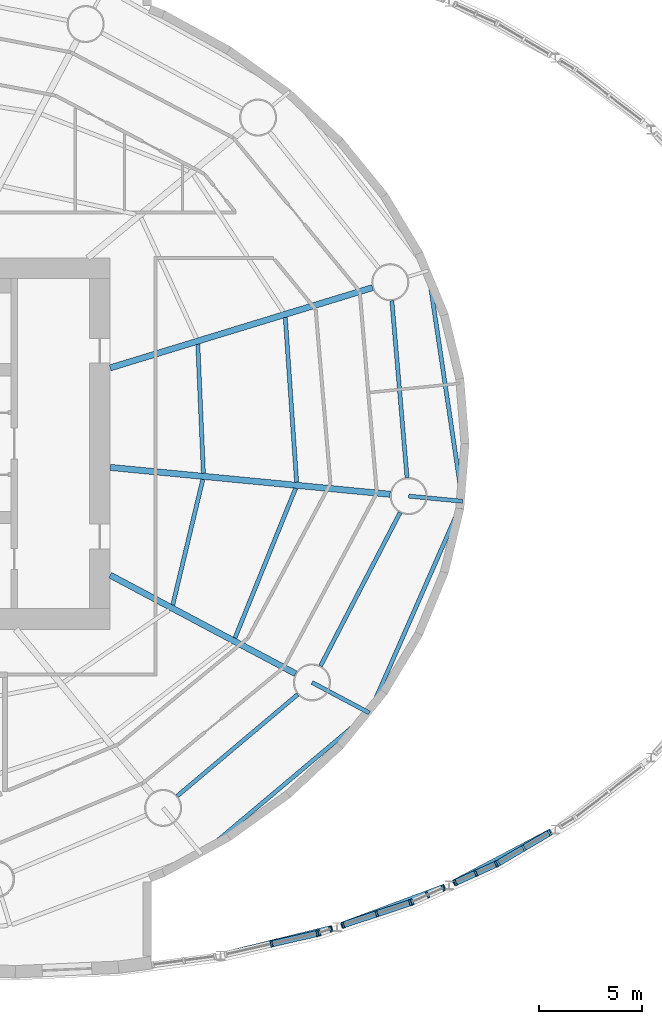
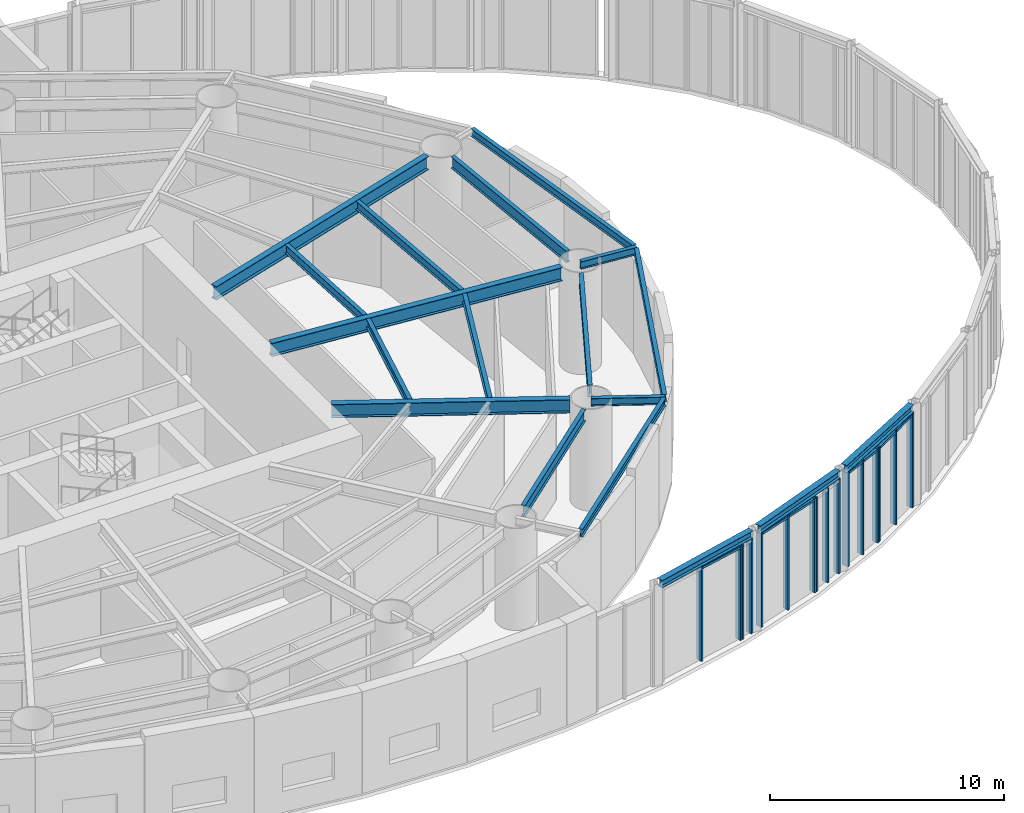
# One storey, part 5 of 19: 23 members, 18 beams, 6 elements without a shape of their own.
"""IFC4 building model written with IfcOpenShell, lengths in metres."""

from ifc_helpers import new_model, si_unit, direction, frame, origin, origin_2d, place, context, subcontext, project, spatial, rectangle, i_section, extrude, material, material_profile, profile_set, type_object, element, aggregate, save


model = new_model("IFC4")

# Units and contexts
model_context = context("Model", 3, precision=1e-05, world=origin(), true_north=direction((0.0, 1.0)))
body_context = subcontext(model_context, "Body", "Model", "MODEL_VIEW")
ifc_project = project(units=[si_unit("LENGTHUNIT", "METRE"), si_unit("AREAUNIT", "SQUARE_METRE"), si_unit("VOLUMEUNIT", "CUBIC_METRE"), si_unit("PLANEANGLEUNIT", "RADIAN"), si_unit("MASSUNIT", "GRAM", prefix="KILO")], contexts=[model_context])

# Site, building, storey
site_placement = place(None, origin())
site = spatial("IfcSite", under=ifc_project, at=site_placement, CompositionType="ELEMENT")
building_placement = place(site_placement, origin())
building = spatial("IfcBuilding", under=site, at=building_placement, Name="Vermilion Reach Broadcast Tower", CompositionType="ELEMENT")
storey_placement = place(building_placement, frame((0.0, 0.0, 26.0)))
storey = spatial("IfcBuildingStorey", under=building, at=storey_placement, Name="L03", CompositionType="ELEMENT", Elevation=26.0)

# Curtain wall, members
ifc_material_1 = material(Name="Low-e laminated clear glass in aluminium frame", Category="aluminium")
curtain_wall_type = type_object("IfcCurtainWallType", Name="Atrium outer wall curtain wall", PredefinedType="NOTDEFINED", material=ifc_material_1)
placement = place(storey_placement, origin())
curtain_wall_1 = element("IfcCurtainWall", 1, at=placement, inside=storey, type_object=curtain_wall_type, Name="Atrium wall L03 02", PredefinedType="NOTDEFINED")
ifc_material_2 = material(Name="Anodised aluminium", Category="aluminium")
ifc_material_profile_1 = material_profile(ifc_material_2, rectangle(XDim=0.300048828125, YDim=0.10009765625, at=origin_2d()), Name="Atrium outer wall mullion 100 x 300")
ifc_profile_set_1 = profile_set([ifc_material_profile_1], Name="Anodised aluminium")
member_type_1 = type_object("IfcMemberType", Name="Atrium outer wall mullion 100 x 300", PredefinedType="MULLION", material=ifc_profile_set_1)
member_1_placement = place(storey_placement, frame((13.818359375, -24.251708984375, 0.0), z_axis=(0.0, 0.0, 1.0), x_axis=(-0.222891523278, 0.974843253478, 0.0)))
member_1 = element("IfcMember", 2, at=member_1_placement, type_object=member_type_1, Name="Atrium wall mullion L03 02.2", PredefinedType="MULLION", context=body_context, shape_type="SweptSolid", body=[
    extrude(rectangle(XDim=0.300048828125, YDim=0.10009765625, at=origin_2d()), origin(), (0.0, 0.0, 1.0), 4.909912109375),
])
member_2_placement = place(storey_placement, frame((16.042236328125, -23.7431640625, 0.0), z_axis=(0.0, 0.0, 1.0), x_axis=(-0.222891523278, 0.974843253478, 0.0)))
member_2 = element("IfcMember", 3, at=member_2_placement, type_object=member_type_1, Name="Atrium wall mullion L03 02.3", PredefinedType="MULLION", context=body_context, shape_type="SweptSolid", body=[
    extrude(rectangle(XDim=0.300048828125, YDim=0.10009765625, at=origin_2d()), origin(), (0.0, 0.0, 1.0), 4.909912109375),
])

curtain_wall_2 = element("IfcCurtainWall", 4, at=placement, inside=storey, type_object=curtain_wall_type, Name="Atrium wall L03 03-1", PredefinedType="NOTDEFINED")
member_3_placement = place(storey_placement, frame((16.138427734375, -23.71630859375, 0.0), z_axis=(0.0, 0.0, 1.0), x_axis=(-0.315228098746, 0.949015935462, 0.0)))
member_3 = element("IfcMember", 5, at=member_3_placement, type_object=member_type_1, Name="Atrium wall mullion L03 03-1.1", PredefinedType="MULLION", context=body_context, shape_type="SweptSolid", body=[
    extrude(rectangle(XDim=0.300048828125, YDim=0.10009765625, at=origin_2d()), origin(), (0.0, 0.0, 1.0), 4.909912109375),
])
member_4_placement = place(storey_placement, frame((16.67724609375, -23.537353515625, 0.0), z_axis=(0.0, 0.0, 1.0), x_axis=(-0.315228098746, 0.949015935462, 0.0)))
member_4 = element("IfcMember", 6, at=member_4_placement, type_object=member_type_1, Name="Atrium wall mullion L03 03-1.2", PredefinedType="MULLION", context=body_context, shape_type="SweptSolid", body=[
    extrude(rectangle(XDim=0.300048828125, YDim=0.10009765625, at=origin_2d()), origin(), (0.0, 0.0, 1.0), 4.909912109375),
])
aggregate(curtain_wall_2, [member_3, member_4])

curtain_wall_3 = element("IfcCurtainWall", 7, at=placement, inside=storey, type_object=curtain_wall_type, Name="Atrium wall L03 03-2", PredefinedType="NOTDEFINED")
member_5_placement = place(storey_placement, frame((17.2919921875, -23.3330078125, 0.0), z_axis=(0.0, 0.0, 1.0), x_axis=(-0.315228098746, 0.949015935462, 0.0)))
member_5 = element("IfcMember", 8, at=member_5_placement, type_object=member_type_1, Name="Atrium wall mullion L03 03-2.1", PredefinedType="MULLION", context=body_context, shape_type="SweptSolid", body=[
    extrude(rectangle(XDim=0.300048828125, YDim=0.10009765625, at=origin_2d()), origin(), (0.0, 0.0, 1.0), 4.909912109375),
])
member_6_placement = place(storey_placement, frame((18.91796875, -22.79296875, 0.0), z_axis=(0.0, 0.0, 1.0), x_axis=(-0.315228098746, 0.949015935462, 0.0)))
member_6 = element("IfcMember", 9, at=member_6_placement, type_object=member_type_1, Name="Atrium wall mullion L03 03-2.2", PredefinedType="MULLION", context=body_context, shape_type="SweptSolid", body=[
    extrude(rectangle(XDim=0.300048828125, YDim=0.10009765625, at=origin_2d()), origin(), (0.0, 0.0, 1.0), 4.909912109375),
])
member_7_placement = place(storey_placement, frame((20.5439453125, -22.2529296875, 0.0), z_axis=(0.0, 0.0, 1.0), x_axis=(-0.315228098746, 0.949015935462, 0.0)))
member_7 = element("IfcMember", 10, at=member_7_placement, type_object=member_type_1, Name="Atrium wall mullion L03 03-2.3", PredefinedType="MULLION", context=body_context, shape_type="SweptSolid", body=[
    extrude(rectangle(XDim=0.300048828125, YDim=0.10009765625, at=origin_2d()), origin(), (0.0, 0.0, 1.0), 4.909912109375),
])

curtain_wall_4 = element("IfcCurtainWall", 11, at=placement, inside=storey, type_object=curtain_wall_type, Name="Atrium wall L03 04-1", PredefinedType="NOTDEFINED")
member_8_placement = place(storey_placement, frame((20.636962890625, -22.216552734375, 0.0), z_axis=(0.0, 0.0, 1.0), x_axis=(-0.410407876277, 0.911902064418, 0.0)))
member_8 = element("IfcMember", 12, at=member_8_placement, type_object=member_type_1, Name="Atrium wall mullion L03 04-1.1", PredefinedType="MULLION", context=body_context, shape_type="SweptSolid", body=[
    extrude(rectangle(XDim=0.300048828125, YDim=0.10009765625, at=origin_2d()), origin(), (0.0, 0.0, 1.0), 4.909912109375),
])
member_9_placement = place(storey_placement, frame((21.386474609375, -21.87939453125, 0.0), z_axis=(0.0, 0.0, 1.0), x_axis=(-0.410407876277, 0.911902064418, 0.0)))
member_9 = element("IfcMember", 13, at=member_9_placement, type_object=member_type_1, Name="Atrium wall mullion L03 04-1.2", PredefinedType="MULLION", context=body_context, shape_type="SweptSolid", body=[
    extrude(rectangle(XDim=0.300048828125, YDim=0.10009765625, at=origin_2d()), origin(), (0.0, 0.0, 1.0), 4.909912109375),
])
member_10_placement = place(storey_placement, frame((22.1357421875, -21.5419921875, 0.0), z_axis=(0.0, 0.0, 1.0), x_axis=(-0.410407876277, 0.911902064418, 0.0)))
member_10 = element("IfcMember", 14, at=member_10_placement, type_object=member_type_1, Name="Atrium wall mullion L03 04-1.3", PredefinedType="MULLION", context=body_context, shape_type="SweptSolid", body=[
    extrude(rectangle(XDim=0.300048828125, YDim=0.10009765625, at=origin_2d()), origin(), (0.0, 0.0, 1.0), 4.909912109375),
])
aggregate(curtain_wall_4, [member_8, member_9, member_10])

curtain_wall_5 = element("IfcCurtainWall", 15, at=placement, inside=storey, type_object=curtain_wall_type, Name="Atrium wall L03 04-2", PredefinedType="NOTDEFINED")
member_11_placement = place(storey_placement, frame((22.726806640625, -21.276123046875, 0.0), z_axis=(0.0, 0.0, 1.0), x_axis=(-0.410407876277, 0.911902064418, 0.0)))
member_11 = element("IfcMember", 16, at=member_11_placement, type_object=member_type_1, Name="Atrium wall mullion L03 04-2.1", PredefinedType="MULLION", context=body_context, shape_type="SweptSolid", body=[
    extrude(rectangle(XDim=0.300048828125, YDim=0.10009765625, at=origin_2d()), origin(), (0.0, 0.0, 1.0), 4.909912109375),
])
member_12_placement = place(storey_placement, frame((23.720947265625, -20.82861328125, 0.0), z_axis=(0.0, 0.0, 1.0), x_axis=(-0.410407876277, 0.911902064418, 0.0)))
member_12 = element("IfcMember", 17, at=member_12_placement, type_object=member_type_1, Name="Atrium wall mullion L03 04-2.2", PredefinedType="MULLION", context=body_context, shape_type="SweptSolid", body=[
    extrude(rectangle(XDim=0.300048828125, YDim=0.10009765625, at=origin_2d()), origin(), (0.0, 0.0, 1.0), 4.909912109375),
])
member_13_placement = place(storey_placement, frame((24.715087890625, -20.38134765625, 0.0), z_axis=(0.0, 0.0, 1.0), x_axis=(-0.410407876277, 0.911902064418, 0.0)))
member_13 = element("IfcMember", 18, at=member_13_placement, type_object=member_type_1, Name="Atrium wall mullion L03 04-2.3", PredefinedType="MULLION", context=body_context, shape_type="SweptSolid", body=[
    extrude(rectangle(XDim=0.300048828125, YDim=0.10009765625, at=origin_2d()), origin(), (0.0, 0.0, 1.0), 4.909912109375),
])

curtain_wall_6 = element("IfcCurtainWall", 19, at=placement, inside=storey, type_object=curtain_wall_type, Name="Atrium wall L03 05-1", PredefinedType="NOTDEFINED")
member_14_placement = place(storey_placement, frame((24.8037109375, -20.33544921875, 0.0), z_axis=(0.0, 0.0, 1.0), x_axis=(-0.508589622127, 0.861009057017, 0.0)))
member_14 = element("IfcMember", 20, at=member_14_placement, type_object=member_type_1, Name="Atrium wall mullion L03 05-1.1", PredefinedType="MULLION", context=body_context, shape_type="SweptSolid", body=[
    extrude(rectangle(XDim=0.300048828125, YDim=0.10009765625, at=origin_2d()), origin(), (0.0, 0.0, 1.0), 4.909912109375),
])
member_15_placement = place(storey_placement, frame((26.0478515625, -19.6005859375, 0.0), z_axis=(0.0, 0.0, 1.0), x_axis=(-0.508589622127, 0.861009057017, 0.0)))
member_15 = element("IfcMember", 21, at=member_15_placement, type_object=member_type_1, Name="Atrium wall mullion L03 05-1.2", PredefinedType="MULLION", context=body_context, shape_type="SweptSolid", body=[
    extrude(rectangle(XDim=0.300048828125, YDim=0.10009765625, at=origin_2d()), origin(), (0.0, 0.0, 1.0), 4.909912109375),
])
member_16_placement = place(storey_placement, frame((27.291748046875, -18.86572265625, 0.0), z_axis=(0.0, 0.0, 1.0), x_axis=(-0.508589622127, 0.861009057017, 0.0)))
member_16 = element("IfcMember", 22, at=member_16_placement, type_object=member_type_1, Name="Atrium wall mullion L03 05-1.3", PredefinedType="MULLION", context=body_context, shape_type="SweptSolid", body=[
    extrude(rectangle(XDim=0.300048828125, YDim=0.10009765625, at=origin_2d()), origin(), (0.0, 0.0, 1.0), 4.909912109375),
])

# Member
ifc_material_3 = material(Name="Anodised aluminium", Category="aluminium")
ifc_material_profile_2 = material_profile(ifc_material_3, rectangle(XDim=0.300048828125, YDim=0.1201171875, at=origin_2d()), Name="Atrium outer wall transom 300 x 120")
ifc_profile_set_2 = profile_set([ifc_material_profile_2], Name="Anodised aluminium")
member_type_2 = type_object("IfcMemberType", Name="Atrium outer wall transom 300 x 120", PredefinedType="USERDEFINED", material=ifc_profile_set_2)
member_17_placement = place(storey_placement, frame((13.8671875, -24.240478515625, 4.85009765625), z_axis=(0.97485503326, 0.222839996696, 0.0), x_axis=(-0.222839996696, 0.97485503326, 0.0)))
member_17 = element("IfcMember", 23, at=member_17_placement, type_object=member_type_2, Name="Atrium wall transom L03 02.2.2", ObjectType="TRANSOM", PredefinedType="USERDEFINED", context=body_context, shape_type="SweptSolid", body=[
    extrude(rectangle(XDim=0.300048828125, YDim=0.1201171875, at=origin_2d()), origin(), (0.0, 0.0, 1.0), 2.181396484375),
])

aggregate(curtain_wall_1, [member_1, member_2, member_17])

member_18_placement = place(storey_placement, frame((17.339599609375, -23.3173828125, 4.85009765625), z_axis=(0.949015707131, 0.315228786151, 0.0), x_axis=(-0.315228786151, 0.949015707131, 0.0)))
member_18 = element("IfcMember", 24, at=member_18_placement, type_object=member_type_2, Name="Atrium wall transom L03 03-2.1.2", ObjectType="TRANSOM", PredefinedType="USERDEFINED", context=body_context, shape_type="SweptSolid", body=[
    extrude(rectangle(XDim=0.300048828125, YDim=0.1201171875, at=origin_2d()), origin(), (0.0, 0.0, 1.0), 1.61328125),
])

member_19_placement = place(storey_placement, frame((18.965576171875, -22.777099609375, 4.85009765625), z_axis=(0.949015707131, 0.315228786151, 0.0), x_axis=(-0.315228786151, 0.949015707131, 0.0)))
member_19 = element("IfcMember", 25, at=member_19_placement, type_object=member_type_2, Name="Atrium wall transom L03 03-2.2.2", ObjectType="TRANSOM", PredefinedType="USERDEFINED", context=body_context, shape_type="SweptSolid", body=[
    extrude(rectangle(XDim=0.300048828125, YDim=0.1201171875, at=origin_2d()), origin(), (0.0, 0.0, 1.0), 1.61328125),
])

aggregate(curtain_wall_3, [member_5, member_6, member_7, member_18, member_19])

member_20_placement = place(storey_placement, frame((22.772216796875, -21.255615234375, 4.85009765625), z_axis=(0.911879986632, 0.410456928289, 0.0), x_axis=(-0.410456928289, 0.911879986632, 0.0)))
member_20 = element("IfcMember", 26, at=member_20_placement, type_object=member_type_2, Name="Atrium wall transom L03 04-2.1.2", ObjectType="TRANSOM", PredefinedType="USERDEFINED", context=body_context, shape_type="SweptSolid", body=[
    extrude(rectangle(XDim=0.300048828125, YDim=0.1201171875, at=origin_2d()), origin(), (0.0, 0.0, 1.0), 0.990234375),
])

member_21_placement = place(storey_placement, frame((23.766357421875, -20.80810546875, 4.85009765625), z_axis=(0.911972242519, 0.410251909044, 0.0), x_axis=(-0.410251909044, 0.911972242519, 0.0)))
member_21 = element("IfcMember", 27, at=member_21_placement, type_object=member_type_2, Name="Atrium wall transom L03 04-2.2.2", ObjectType="TRANSOM", PredefinedType="USERDEFINED", context=body_context, shape_type="SweptSolid", body=[
    extrude(rectangle(XDim=0.300048828125, YDim=0.1201171875, at=origin_2d()), origin(), (0.0, 0.0, 1.0), 0.990234375),
])

aggregate(curtain_wall_5, [member_11, member_12, member_13, member_20, member_21])

member_22_placement = place(storey_placement, frame((24.8466796875, -20.309814453125, 4.85009765625), z_axis=(0.861060223376, 0.508502990866, 0.0), x_axis=(-0.508502990866, 0.861060223376, 0.0)))
member_22 = element("IfcMember", 28, at=member_22_placement, type_object=member_type_2, Name="Atrium wall transom L03 05-1.1.2", ObjectType="TRANSOM", PredefinedType="USERDEFINED", context=body_context, shape_type="SweptSolid", body=[
    extrude(rectangle(XDim=0.300048828125, YDim=0.1201171875, at=origin_2d()), origin(), (0.0, 0.0, 1.0), 1.3447265625),
])

member_23_placement = place(storey_placement, frame((26.0908203125, -19.574951171875, 4.85009765625), z_axis=(0.861060223376, 0.508502990866, 0.0), x_axis=(-0.508502990866, 0.861060223376, 0.0)))
member_23 = element("IfcMember", 29, at=member_23_placement, type_object=member_type_2, Name="Atrium wall transom L03 05-1.2.2", ObjectType="TRANSOM", PredefinedType="USERDEFINED", context=body_context, shape_type="SweptSolid", body=[
    extrude(rectangle(XDim=0.300048828125, YDim=0.1201171875, at=origin_2d()), origin(), (0.0, 0.0, 1.0), 1.3447265625),
])

aggregate(curtain_wall_6, [member_14, member_15, member_16, member_22, member_23])

# Beams
ifc_material_4 = material(Name="Steel S355J2", Category="steel")
ifc_material_profile_3 = material_profile(ifc_material_4, i_section(OverallWidth=0.199951171875, OverallDepth=0.39990234375, WebThickness=0.008056640625, FlangeThickness=0.012939453125, at=origin_2d()), Name="S355J2 HN 400x200x8x13")
ifc_profile_set_3 = profile_set([ifc_material_profile_3], Name="Steel S355J2")
beam_type_1 = type_object("IfcBeamType", Name="EB1 HN 400x200x8x13", PredefinedType="BEAM", material=ifc_profile_set_3)
beam_1_placement = place(storey_placement, frame((10.490478515625, -19.840087890625, 5.10009765625), z_axis=(0.765453208317, 0.643491558513, 0.0), x_axis=(-0.643491558513, 0.765453208317, 0.0)))
element("IfcBeam", 30, at=beam_1_placement, inside=storey, type_object=beam_type_1, Name="Edge beam EB1-14", PredefinedType="BEAM", context=body_context, shape_type="SweptSolid", body=[
    extrude(i_section(OverallWidth=0.199951171875, OverallDepth=0.39990234375, WebThickness=0.008056640625, FlangeThickness=0.012939453125, at=origin_2d()), origin(), (0.0, 0.0, 1.0), 10.437255859375),
])
beam_2_placement = place(storey_placement, frame((18.6025390625, -12.962646484375, 5.10009765625), z_axis=(0.402751254677, 0.915309470538, 0.0), x_axis=(-0.915309470538, 0.402751254677, 0.0)))
element("IfcBeam", 31, at=beam_2_placement, inside=storey, type_object=beam_type_1, Name="Edge beam EB1-15", PredefinedType="BEAM", context=body_context, shape_type="SweptSolid", body=[
    extrude(i_section(OverallWidth=0.199951171875, OverallDepth=0.39990234375, WebThickness=0.008056640625, FlangeThickness=0.012939453125, at=origin_2d()), origin(), (0.0, 0.0, 1.0), 11.00341796875),
])
beam_3_placement = place(storey_placement, frame((23.061279296875, -2.692626953125, 5.10009765625), z_axis=(-0.147029010253, 0.98913218032, 0.0), x_axis=(-0.98913218032, -0.147029010253, 0.0)))
element("IfcBeam", 32, at=beam_3_placement, inside=storey, type_object=beam_type_1, Name="Edge beam EB1-16", PredefinedType="BEAM", context=body_context, shape_type="SweptSolid", body=[
    extrude(i_section(OverallWidth=0.199951171875, OverallDepth=0.39990234375, WebThickness=0.008056640625, FlangeThickness=0.012939453125, at=origin_2d()), origin(), (0.0, 0.0, 1.0), 11.125244140625),
])
ifc_material_5 = material(Name="Steel S355J2", Category="steel")
ifc_material_profile_4 = material_profile(ifc_material_5, i_section(OverallWidth=0.300048828125, OverallDepth=0.699951171875, WebThickness=0.012939453125, FlangeThickness=0.02392578125, at=origin_2d()), Name="S355J2 HN 700x300x13x24")
ifc_profile_set_4 = profile_set([ifc_material_profile_4], Name="Steel S355J2")
beam_type_2 = type_object("IfcBeamType", Name="G1 HN 700x300x13x24", PredefinedType="BEAM", material=ifc_profile_set_4)
beam_4_placement = place(storey_placement, frame((6.0, 3.671142578125, 4.949951171875), z_axis=(0.956255735186, 0.292531996409, 0.0), x_axis=(-0.292531996409, 0.956255735186, 0.0)))
element("IfcBeam", 33, at=beam_4_placement, inside=storey, type_object=beam_type_2, Name="Girder G1-01", PredefinedType="BEAM", context=body_context, shape_type="SweptSolid", body=[
    extrude(i_section(OverallWidth=0.300048828125, OverallDepth=0.699951171875, WebThickness=0.012939453125, FlangeThickness=0.02392578125, at=origin_2d()), origin(), (0.0, 0.0, 1.0), 13.29638671875),
])
beam_5_placement = place(storey_placement, frame((6.0, -6.3779296875, 4.949951171875), z_axis=(0.883032139419, -0.469312519279, 0.0), x_axis=(0.469312519279, 0.883032139419, 0.0)))
element("IfcBeam", 34, at=beam_5_placement, inside=storey, type_object=beam_type_2, Name="Girder G1-15", PredefinedType="BEAM", context=body_context, shape_type="SweptSolid", body=[
    extrude(i_section(OverallWidth=0.300048828125, OverallDepth=0.699951171875, WebThickness=0.012939453125, FlangeThickness=0.02392578125, at=origin_2d()), origin(), (0.0, 0.0, 1.0), 10.17529296875),
])
beam_6_placement = place(storey_placement, frame((6.0, -1.1533203125, 4.949951171875), z_axis=(0.995412178872, -0.095679643363, 0.0), x_axis=(0.095679643363, 0.995412178872, 0.0)))
element("IfcBeam", 35, at=beam_6_placement, inside=storey, type_object=beam_type_2, Name="Girder G1-16", PredefinedType="BEAM", context=body_context, shape_type="SweptSolid", body=[
    extrude(i_section(OverallWidth=0.300048828125, OverallDepth=0.699951171875, WebThickness=0.012939453125, FlangeThickness=0.02392578125, at=origin_2d()), origin(), (0.0, 0.0, 1.0), 13.630859375),
])
ifc_material_6 = material(Name="Steel S355J2", Category="steel")
ifc_material_profile_5 = material_profile(ifc_material_6, i_section(OverallWidth=0.199951171875, OverallDepth=0.39990234375, WebThickness=0.008056640625, FlangeThickness=0.012939453125, at=origin_2d()), Name="S355J2 HN 400x200x8x13")
ifc_profile_set_5 = profile_set([ifc_material_profile_5], Name="Steel S355J2")
beam_type_3 = type_object("IfcBeamType", Name="GC1 HN 400x200x8x13", PredefinedType="BEAM", material=ifc_profile_set_5)
beam_7_placement = place(storey_placement, frame((15.77978515625, -11.57568359375, 5.10009765625), z_axis=(0.8830404704, -0.469296843837, 0.0), x_axis=(0.469296843837, 0.8830404704, 0.0)))
element("IfcBeam", 36, at=beam_7_placement, inside=storey, type_object=beam_type_3, Name="Cantilever girder GC1-15", PredefinedType="BEAM", context=body_context, shape_type="SweptSolid", body=[
    extrude(i_section(OverallWidth=0.199951171875, OverallDepth=0.39990234375, WebThickness=0.008056640625, FlangeThickness=0.012939453125, at=origin_2d()), origin(), (0.0, 0.0, 1.0), 3.151123046875),
])
beam_8_placement = place(storey_placement, frame((20.464111328125, -2.54345703125, 5.10009765625), z_axis=(0.995407665441, -0.095726587639, 0.0), x_axis=(0.095726587639, 0.995407665441, 0.0)))
element("IfcBeam", 37, at=beam_8_placement, inside=storey, type_object=beam_type_3, Name="Cantilever girder GC1-16", PredefinedType="BEAM", context=body_context, shape_type="SweptSolid", body=[
    extrude(i_section(OverallWidth=0.199951171875, OverallDepth=0.39990234375, WebThickness=0.008056640625, FlangeThickness=0.012939453125, at=origin_2d()), origin(), (0.0, 0.0, 1.0), 2.624267578125),
])
ifc_material_7 = material(Name="Steel S355J2", Category="steel")
ifc_material_profile_6 = material_profile(ifc_material_7, i_section(OverallWidth=0.199951171875, OverallDepth=0.60009765625, WebThickness=0.010986328125, FlangeThickness=0.01708984375, at=origin_2d()), Name="S355J2 HN 600x200x11x17")
ifc_profile_set_6 = profile_set([ifc_material_profile_6], Name="Steel S355J2")
beam_type_4 = type_object("IfcBeamType", Name="RB1 HN 600x200x11x17", PredefinedType="BEAM", material=ifc_profile_set_6)
beam_9_placement = place(storey_placement, frame((9.251220703125, -17.080322265625, 5.0), z_axis=(0.764512441084, 0.6446089725, 0.0), x_axis=(-0.6446089725, 0.764512441084, 0.0)))
element("IfcBeam", 38, at=beam_9_placement, inside=storey, type_object=beam_type_4, Name="Ring beam RB1-14", PredefinedType="BEAM", context=body_context, shape_type="SweptSolid", body=[
    extrude(i_section(OverallWidth=0.199951171875, OverallDepth=0.60009765625, WebThickness=0.010986328125, FlangeThickness=0.01708984375, at=origin_2d()), origin(), (0.0, 0.0, 1.0), 7.6396484375),
])
beam_10_placement = place(storey_placement, frame((16.194091796875, -10.776611328125, 5.0), z_axis=(0.460411617218, 0.887705549566, 0.0), x_axis=(-0.887705549566, 0.460411617218, 0.0)))
element("IfcBeam", 39, at=beam_10_placement, inside=storey, type_object=beam_type_4, Name="Ring beam RB1-15", PredefinedType="BEAM", context=body_context, shape_type="SweptSolid", body=[
    extrude(i_section(OverallWidth=0.199951171875, OverallDepth=0.60009765625, WebThickness=0.010986328125, FlangeThickness=0.01708984375, at=origin_2d()), origin(), (0.0, 0.0, 1.0), 8.37451171875),
])
beam_11_placement = place(storey_placement, frame((20.38720703125, -1.646728515625, 5.0), z_axis=(-0.085395508608, 0.996347131832, 0.0), x_axis=(-0.996347131832, -0.085395508608, 0.0)))
element("IfcBeam", 40, at=beam_11_placement, inside=storey, type_object=beam_type_4, Name="Ring beam RB1-16", PredefinedType="BEAM", context=body_context, shape_type="SweptSolid", body=[
    extrude(i_section(OverallWidth=0.199951171875, OverallDepth=0.60009765625, WebThickness=0.010986328125, FlangeThickness=0.01708984375, at=origin_2d()), origin(), (0.0, 0.0, 1.0), 8.60546875),
])
ifc_material_8 = material(Name="Steel S355J2", Category="steel")
ifc_material_profile_7 = material_profile(ifc_material_8, i_section(OverallWidth=0.300048828125, OverallDepth=0.389892578125, WebThickness=0.010009765625, FlangeThickness=0.01611328125, at=origin_2d()), Name="S355J2 HM 390x300x10x16")
ifc_profile_set_7 = profile_set([ifc_material_profile_7], Name="Steel S355J2")
beam_type_5 = type_object("IfcBeamType", Name="RM1 HM 390x300x10x16", PredefinedType="BEAM", material=ifc_profile_set_7)
beam_12_placement = place(storey_placement, frame((11.55078125, -24.7666015625, 5.10498046875), z_axis=(0.97127010403, 0.237979799598, 0.0), x_axis=(-0.237979799598, 0.97127010403, 0.0)))
element("IfcBeam", 41, at=beam_12_placement, inside=storey, type_object=beam_type_5, Name="Rim beam AP01-AP02", PredefinedType="BEAM", context=body_context, shape_type="SweptSolid", body=[
    extrude(i_section(OverallWidth=0.300048828125, OverallDepth=0.389892578125, WebThickness=0.010009765625, FlangeThickness=0.01611328125, at=origin_2d()), origin(), (0.0, 0.0, 1.0), 5.37451171875),
])
beam_13_placement = place(storey_placement, frame((17.190673828125, -23.3583984375, 5.10498046875), z_axis=(0.937250522131, 0.348656648818, 0.0), x_axis=(-0.348656648818, 0.937250522131, 0.0)))
element("IfcBeam", 42, at=beam_13_placement, inside=storey, type_object=beam_type_5, Name="Rim beam AP02-AP03", PredefinedType="BEAM", context=body_context, shape_type="SweptSolid", body=[
    extrude(i_section(OverallWidth=0.300048828125, OverallDepth=0.389892578125, WebThickness=0.010009765625, FlangeThickness=0.01611328125, at=origin_2d()), origin(), (0.0, 0.0, 1.0), 5.37158203125),
])
beam_14_placement = place(storey_placement, frame((22.625732421875, -21.306396484375, 5.10498046875), z_axis=(0.884684356477, 0.46619050763, 0.0), x_axis=(-0.46619050763, 0.884684356477, 0.0)))
element("IfcBeam", 43, at=beam_14_placement, inside=storey, type_object=beam_type_5, Name="Rim beam AP03-AP04", PredefinedType="BEAM", context=body_context, shape_type="SweptSolid", body=[
    extrude(i_section(OverallWidth=0.300048828125, OverallDepth=0.389892578125, WebThickness=0.010009765625, FlangeThickness=0.01611328125, at=origin_2d()), origin(), (0.0, 0.0, 1.0), 5.369384765625),
])
ifc_material_9 = material(Name="Steel S355J2", Category="steel")
ifc_material_profile_8 = material_profile(ifc_material_9, i_section(OverallWidth=0.199951171875, OverallDepth=0.449951171875, WebThickness=0.009033203125, FlangeThickness=0.013916015625, at=origin_2d()), Name="S355J2 HN 450x200x9x14")
ifc_profile_set_8 = profile_set([ifc_material_profile_8], Name="Steel S355J2")
beam_type_6 = type_object("IfcBeamType", Name="SB1 HN 450x200x9x14", PredefinedType="BEAM", material=ifc_profile_set_8)
beam_15_placement = place(storey_placement, frame((9.031005859375, -7.81884765625, 5.074951171875), z_axis=(0.232844467589, 0.972513986487, 0.0), x_axis=(-0.972513986487, 0.232844467589, 0.0)))
element("IfcBeam", 44, at=beam_15_placement, inside=storey, type_object=beam_type_6, Name="Secondary beam SB1-15-1", PredefinedType="BEAM", context=body_context, shape_type="SweptSolid", body=[
    extrude(i_section(OverallWidth=0.199951171875, OverallDepth=0.449951171875, WebThickness=0.009033203125, FlangeThickness=0.013916015625, at=origin_2d()), origin(), (0.0, 0.0, 1.0), 6.25537109375),
])
beam_16_placement = place(storey_placement, frame((12.046630859375, -9.421630859375, 5.074951171875), z_axis=(0.375640669938, 0.926765389453, 0.0), x_axis=(-0.926765389453, 0.375640669938, 0.0)))
element("IfcBeam", 45, at=beam_16_placement, inside=storey, type_object=beam_type_6, Name="Secondary beam SB1-15-2", PredefinedType="BEAM", context=body_context, shape_type="SweptSolid", body=[
    extrude(i_section(OverallWidth=0.199951171875, OverallDepth=0.449951171875, WebThickness=0.009033203125, FlangeThickness=0.013916015625, at=origin_2d()), origin(), (0.0, 0.0, 1.0), 7.8271484375),
])
beam_17_placement = place(storey_placement, frame((10.51611328125, -1.436767578125, 5.074951171875), z_axis=(-0.043361007512, 0.999059469215, 0.0), x_axis=(-0.999059469215, -0.043361007512, 0.0)))
element("IfcBeam", 46, at=beam_17_placement, inside=storey, type_object=beam_type_6, Name="Secondary beam SB1-16-1", PredefinedType="BEAM", context=body_context, shape_type="SweptSolid", body=[
    extrude(i_section(OverallWidth=0.199951171875, OverallDepth=0.449951171875, WebThickness=0.009033203125, FlangeThickness=0.013916015625, at=origin_2d()), origin(), (0.0, 0.0, 1.0), 6.25537109375),
])
beam_18_placement = place(storey_placement, frame((15.03515625, -1.87109375, 5.074951171875), z_axis=(-0.068507801475, 0.997650580683, 0.0), x_axis=(-0.997650580683, -0.068507801475, 0.0)))
element("IfcBeam", 47, at=beam_18_placement, inside=storey, type_object=beam_type_6, Name="Secondary beam SB1-16-2", PredefinedType="BEAM", context=body_context, shape_type="SweptSolid", body=[
    extrude(i_section(OverallWidth=0.199951171875, OverallDepth=0.449951171875, WebThickness=0.009033203125, FlangeThickness=0.013916015625, at=origin_2d()), origin(), (0.0, 0.0, 1.0), 8.00048828125),
])

save(model, "model.ifc")
